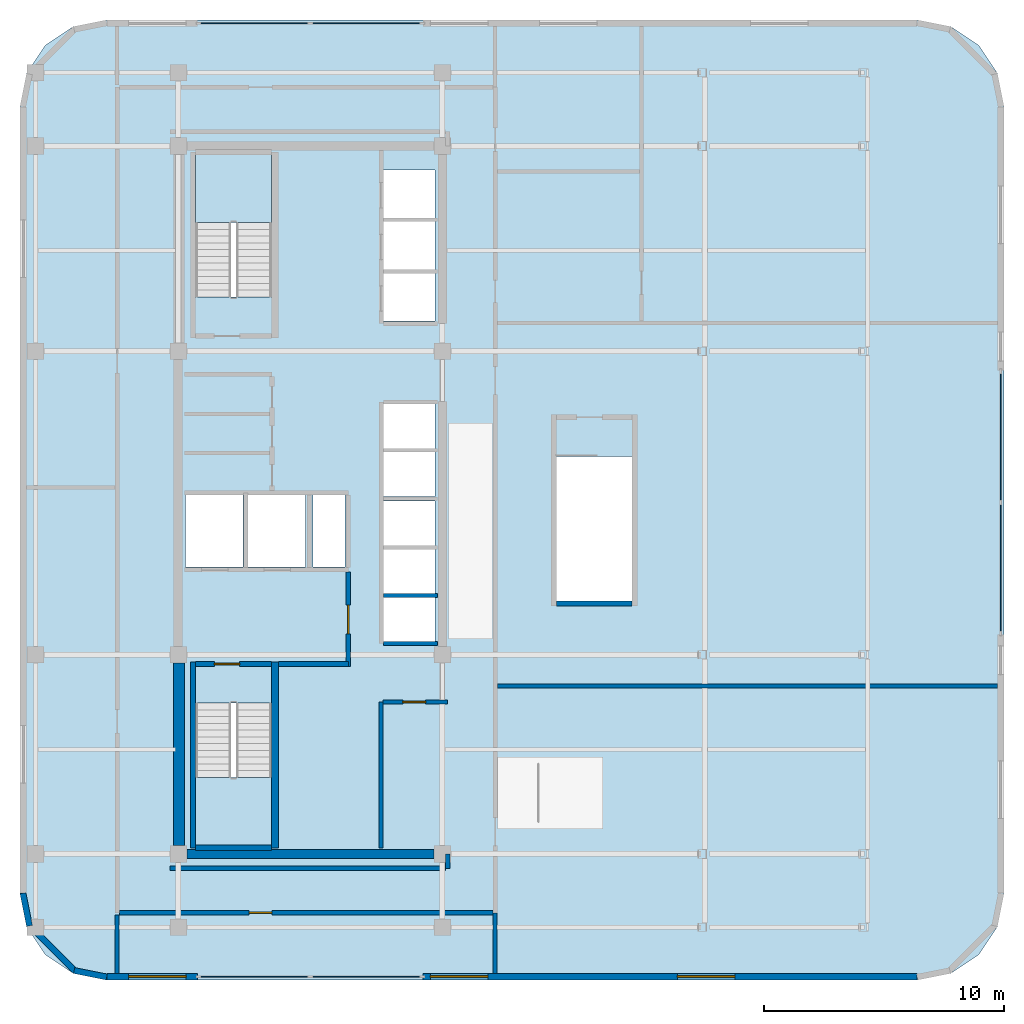
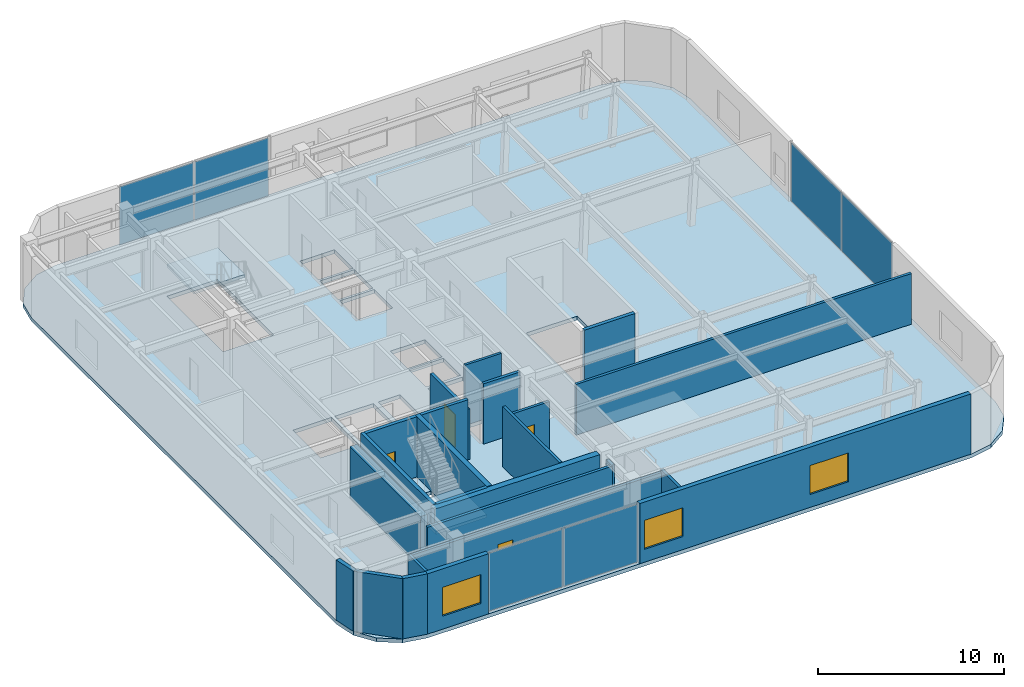
# One storey, part 6 of 10: 24 walls, 6 plates, 4 doors, 3 slabs, 3 windows, 7 openings, 5 elements without a shape of their own.
"""IFC4 building model written with IfcOpenShell, lengths in metres."""

from ifc_helpers import new_model, si_unit, direction, frame, frame_2d, origin, origin_2d, place, context, subcontext, project, spatial, polyline, rectangle, outline, extrude, material, layer, layer_set, type_object, element, fill, aggregate, save


model = new_model("IFC4")

# Units and contexts
model_context = context("Model", 3, precision=1e-05, world=origin(), true_north=direction((0.0, 1.0)))
body_context = subcontext(model_context, "Body", "Model", "MODEL_VIEW")
ifc_project = project(units=[si_unit("LENGTHUNIT", "METRE"), si_unit("AREAUNIT", "SQUARE_METRE"), si_unit("VOLUMEUNIT", "CUBIC_METRE"), si_unit("PLANEANGLEUNIT", "RADIAN"), si_unit("MASSUNIT", "GRAM", prefix="KILO")], contexts=[model_context])

# Site, building, storey
site_placement = place(None, origin())
site = spatial("IfcSite", under=ifc_project, at=site_placement, CompositionType="ELEMENT")
building_placement = place(site_placement, origin())
building = spatial("IfcBuilding", under=site, at=building_placement, Name="Ochreholt Gables", CompositionType="ELEMENT")
storey_placement = place(building_placement, frame((0.0, 0.0, 173.39990234375)))
storey = spatial("IfcBuildingStorey", under=building, at=storey_placement, Name="L45", CompositionType="ELEMENT", Elevation=173.39990234375)

# Curtain wall, plates
ifc_material_1 = material(Name="Unitised Aluminium and Triple Glazing", Category="aluminium")
ifc_layer_1 = layer(ifc_material_1, 0.219970703125, Name="Unitised Aluminium and Triple Glazing")
ifc_layer_set_1 = layer_set([ifc_layer_1], Name="Unitised Aluminium and Triple Glazing")
curtain_wall_type = type_object("IfcCurtainWallType", Name="CW-SYS6", PredefinedType="NOTDEFINED", material=ifc_layer_set_1)
curtain_wall_1_placement = place(storey_placement, origin())
curtain_wall_1 = element("IfcCurtainWall", 1, at=curtain_wall_1_placement, inside=storey, type_object=curtain_wall_type, Name="L45 South Unitised Curtain Wall", PredefinedType="NOTDEFINED")
ifc_material_2 = material(Name="Triple Low-E Insulating Glass", Category="glass")
ifc_layer_2 = layer(ifc_material_2, 0.0419921875, Name="Triple Low-E Insulating Glass")
ifc_layer_set_2 = layer_set([ifc_layer_2], Name="Triple Low-E Insulating Glass")
plate_type = type_object("IfcPlateType", Name="CW-PNL-42", PredefinedType="CURTAIN_PANEL", material=ifc_layer_set_2)
plate_1_placement = place(storey_placement, frame((27.36865234375, 4.139892578125, 0.074951171875), z_axis=(0.0, 0.0, 1.0), x_axis=(1.0, 0.0, 0.0)))
plate_1 = element("IfcPlate", 2, at=plate_1_placement, type_object=plate_type, Name="CW-6 panel 1.1", PredefinedType="CURTAIN_PANEL", context=body_context, shape_type="SweptSolid", body=[
    extrude(rectangle(XDim=4.58740234375, YDim=0.0419921875, at=origin_2d()), origin(), (0.0, 0.0, 1.0), 3.81005859375),
])
plate_2_placement = place(storey_placement, frame((32.03125, 4.139892578125, 0.074951171875), z_axis=(0.0, 0.0, 1.0), x_axis=(1.0, 0.0, 0.0)))
plate_2 = element("IfcPlate", 3, at=plate_2_placement, type_object=plate_type, Name="CW-6 panel 2.1", PredefinedType="CURTAIN_PANEL", context=body_context, shape_type="SweptSolid", body=[
    extrude(rectangle(XDim=4.58740234375, YDim=0.0419921875, at=origin_2d()), origin(), (0.0, 0.0, 1.0), 3.81005859375),
])
aggregate(curtain_wall_1, [plate_1, plate_2])

curtain_wall_2_placement = place(storey_placement, origin())
curtain_wall_2 = element("IfcCurtainWall", 4, at=curtain_wall_2_placement, inside=storey, type_object=curtain_wall_type, Name="L45 East Unitised Curtain Wall", PredefinedType="NOTDEFINED")
plate_3_placement = place(storey_placement, frame((58.4599609375, 21.168701171875, 0.074951171875), z_axis=(0.0, 0.0, 1.0), x_axis=(0.0, 1.0, 0.0)))
plate_3 = element("IfcPlate", 5, at=plate_3_placement, type_object=plate_type, Name="CW-6 panel 1.1", PredefinedType="CURTAIN_PANEL", context=body_context, shape_type="SweptSolid", body=[
    extrude(rectangle(XDim=5.387451171875, YDim=0.0419921875, at=origin_2d()), origin(), (0.0, 0.0, 1.0), 3.81005859375),
])
plate_4_placement = place(storey_placement, frame((58.4599609375, 26.63134765625, 0.074951171875), z_axis=(0.0, 0.0, 1.0), x_axis=(0.0, 1.0, 0.0)))
plate_4 = element("IfcPlate", 6, at=plate_4_placement, type_object=plate_type, Name="CW-6 panel 2.1", PredefinedType="CURTAIN_PANEL", context=body_context, shape_type="SweptSolid", body=[
    extrude(rectangle(XDim=5.387451171875, YDim=0.0419921875, at=origin_2d()), origin(), (0.0, 0.0, 1.0), 3.81005859375),
])
aggregate(curtain_wall_2, [plate_3, plate_4])

curtain_wall_3_placement = place(storey_placement, origin())
curtain_wall_3 = element("IfcCurtainWall", 7, at=curtain_wall_3_placement, inside=storey, type_object=curtain_wall_type, Name="L45 North Unitised Curtain Wall", PredefinedType="NOTDEFINED")
plate_5_placement = place(storey_placement, frame((32.03125, 43.860107421875, 0.074951171875), z_axis=(0.0, 0.0, 1.0), x_axis=(-1.0, 0.0, 0.0)))
plate_5 = element("IfcPlate", 8, at=plate_5_placement, type_object=plate_type, Name="CW-6 panel 1.1", PredefinedType="CURTAIN_PANEL", context=body_context, shape_type="SweptSolid", body=[
    extrude(rectangle(XDim=4.58740234375, YDim=0.0419921875, at=origin_2d()), origin(), (0.0, 0.0, 1.0), 3.81005859375),
])
plate_6_placement = place(storey_placement, frame((27.36865234375, 43.860107421875, 0.074951171875), z_axis=(0.0, 0.0, 1.0), x_axis=(-1.0, 0.0, 0.0)))
plate_6 = element("IfcPlate", 9, at=plate_6_placement, type_object=plate_type, Name="CW-6 panel 2.1", PredefinedType="CURTAIN_PANEL", context=body_context, shape_type="SweptSolid", body=[
    extrude(rectangle(XDim=4.58740234375, YDim=0.0419921875, at=origin_2d()), origin(), (0.0, 0.0, 1.0), 3.81005859375),
])
aggregate(curtain_wall_3, [plate_5, plate_6])

# Stair, slab
ifc_material_3 = material(Name="Concrete 40 MPa", Category="concrete")
stair_type_1 = type_object("IfcStairType", Name="STAIR-CORE-ST-1", PredefinedType="HALF_TURN_STAIR", material=ifc_material_3)
stair_1_placement = place(storey_placement, origin())
stair_1 = element("IfcStair", 10, at=stair_1_placement, inside=storey, type_object=stair_type_1, Name="L45 Core Exit Stair 1", PredefinedType="HALF_TURN_STAIR")
ifc_layer_3 = layer(ifc_material_3, 0.199951171875, Name="Concrete 40 MPa")
ifc_layer_set_3 = layer_set([ifc_layer_3], Name="Concrete 40 MPa")
slab_type_1 = type_object("IfcSlabType", Name="LANDING-RC200", PredefinedType="LANDING", material=ifc_layer_set_3)
slab_1_placement = place(storey_placement, frame((0.0, 0.0, 1.900146484375)))
slab_1 = element("IfcSlab", 11, at=slab_1_placement, type_object=slab_type_1, Name="ST-1 landing 1", PredefinedType="LANDING", context=body_context, shape_type="SweptSolid", body=[
    extrude(outline(polyline([(24.919921875, 12.43798828125), (24.919921875, 9.52001953125), (28.080078125, 9.52001953125), (28.080078125, 12.43798828125), (24.919921875, 12.43798828125)])), origin(), (0.0, 0.0, 1.0), 0.199951171875),
])
aggregate(stair_1, [slab_1])

stair_type_2 = type_object("IfcStairType", Name="STAIR-CORE-ST-2", PredefinedType="HALF_TURN_STAIR", material=ifc_material_3)
stair_2_placement = place(storey_placement, origin())
stair_2 = element("IfcStair", 12, at=stair_2_placement, inside=storey, type_object=stair_type_2, Name="L45 Core Exit Stair 2", PredefinedType="HALF_TURN_STAIR")
slab_2_placement = place(storey_placement, frame((0.0, 0.0, 1.900146484375)))
slab_2 = element("IfcSlab", 13, at=slab_2_placement, type_object=slab_type_1, Name="ST-2 landing 1", PredefinedType="LANDING", context=body_context, shape_type="SweptSolid", body=[
    extrude(outline(polyline([(28.080078125, 35.56201171875), (28.080078125, 38.47998046875), (24.919921875, 38.47998046875), (24.919921875, 35.56201171875), (28.080078125, 35.56201171875)])), origin(), (0.0, 0.0, 1.0), 0.199951171875),
])
aggregate(stair_2, [slab_2])

# Slab
ifc_layer_4 = layer(ifc_material_3, 0.25, Name="Concrete 40 MPa")
ifc_layer_set_4 = layer_set([ifc_layer_4], Name="Concrete 40 MPa")
slab_type_2 = type_object("IfcSlabType", Name="SLAB-COM-250", PredefinedType="FLOOR", material=ifc_layer_set_4)
slab_3_placement = place(storey_placement, frame((0.0, 0.0, -0.25)))
element("IfcSlab", 14, at=slab_3_placement, inside=storey, type_object=slab_type_2, Name="L45 Structural Floor Slab", PredefinedType="FLOOR", context=body_context, shape_type="SweptSolid", body=[
    extrude(outline(polyline([(17.60009765625, 7.60009765625), (17.8740234375, 6.222412109375), (18.654296875, 5.054443359375), (19.822265625, 4.27392578125), (21.199951171875, 4.0), (55.0, 4.0), (56.377685546875, 4.27392578125), (57.545654296875, 5.054443359375), (58.325927734375, 6.222412109375), (58.60009765625, 7.60009765625), (58.60009765625, 40.39990234375), (58.325927734375, 41.777587890625), (57.545654296875, 42.945556640625), (56.377685546875, 43.72607421875), (55.0, 44.0), (21.199951171875, 44.0), (19.822265625, 43.72607421875), (18.654296875, 42.945556640625), (17.8740234375, 41.777587890625), (17.60009765625, 40.39990234375), (17.60009765625, 7.60009765625)]), holes=[polyline([(24.919921875, 15.539306640625), (24.919921875, 9.52001953125), (28.080078125, 9.52001953125), (28.080078125, 15.539306640625), (24.919921875, 15.539306640625)]), polyline([(28.080078125, 32.460693359375), (28.080078125, 38.47998046875), (24.919921875, 38.47998046875), (24.919921875, 32.460693359375), (28.080078125, 32.460693359375)]), polyline([(39.949951171875, 25.819091796875), (39.949951171875, 19.800048828125), (43.110107421875, 19.800048828125), (43.110107421875, 25.819091796875), (39.949951171875, 25.819091796875)]), polyline([(24.5, 21.199951171875), (26.89990234375, 21.199951171875), (26.89990234375, 24.199951171875), (24.5, 24.199951171875), (24.5, 21.199951171875)]), polyline([(27.10009765625, 21.199951171875), (29.5, 21.199951171875), (29.5, 24.199951171875), (27.10009765625, 24.199951171875), (27.10009765625, 21.199951171875)]), polyline([(32.75, 18.10009765625), (34.89990234375, 18.10009765625), (34.89990234375, 19.949951171875), (32.75, 19.949951171875), (32.75, 18.10009765625)]), polyline([(32.75, 20.10009765625), (34.89990234375, 20.10009765625), (34.89990234375, 21.949951171875), (32.75, 21.949951171875), (32.75, 20.10009765625)]), polyline([(32.75, 22.10009765625), (34.89990234375, 22.10009765625), (34.89990234375, 23.949951171875), (32.75, 23.949951171875), (32.75, 22.10009765625)]), polyline([(32.75, 24.14990234375), (34.89990234375, 24.14990234375), (34.89990234375, 26.0), (32.75, 26.0), (32.75, 24.14990234375)]), polyline([(32.75, 26.14990234375), (34.89990234375, 26.14990234375), (34.89990234375, 28.0), (32.75, 28.0), (32.75, 26.14990234375)]), polyline([(32.75, 31.449951171875), (34.89990234375, 31.449951171875), (34.89990234375, 33.449951171875), (32.75, 33.449951171875), (32.75, 31.449951171875)]), polyline([(32.75, 33.60009765625), (34.89990234375, 33.60009765625), (34.89990234375, 35.60009765625), (32.75, 35.60009765625), (32.75, 33.60009765625)]), polyline([(32.75, 35.75), (34.89990234375, 35.75), (34.89990234375, 37.75), (32.75, 37.75), (32.75, 35.75)]), polyline([(29.800048828125, 21.199951171875), (31.14990234375, 21.199951171875), (31.14990234375, 24.199951171875), (29.800048828125, 24.199951171875), (29.800048828125, 21.199951171875)])]), origin(), (0.0, 0.0, 1.0), 0.25),
])

# Walls
ifc_material_4 = material(Name="Concrete 50 MPa", Category="concrete")
ifc_layer_5 = layer(ifc_material_4, 0.3798828125, Name="Concrete 50 MPa")
ifc_layer_set_5 = layer_set([ifc_layer_5], Name="Concrete 50 MPa")
wall_type_1 = type_object("IfcWallType", Name="WALL-CSW-380", PredefinedType="SHEAR", material=ifc_layer_set_5)
wall_1_placement = place(storey_placement, frame((24.550048828125, 9.25, 0.0), z_axis=(0.0, 0.0, 1.0), x_axis=(1.0, 0.0, 0.0)))
element("IfcWall", 15, at=wall_1_placement, inside=storey, type_object=wall_type_1, Name="L45 Core South Shear Wall", PredefinedType="SHEAR", context=body_context, shape_type="SweptSolid", body=[
    extrude(rectangle(XDim=10.300048828125, YDim=0.3798828125, at=frame_2d((5.14990234375, 0.0))), origin(), (0.0, 0.0, 1.0), 3.960205078125),
])
ifc_material_5 = material(Name="Concrete 60 MPa", Category="concrete")
ifc_layer_6 = layer(ifc_material_5, 0.449951171875, Name="Concrete 60 MPa")
ifc_layer_set_6 = layer_set([ifc_layer_6], Name="Concrete 60 MPa")
wall_type_2 = type_object("IfcWallType", Name="WALL-CSW-450", PredefinedType="SHEAR", material=ifc_layer_set_6)
wall_2_placement = place(storey_placement, frame((24.22509765625, 9.60009765625, 0.0), z_axis=(0.0, 0.0, 1.0), x_axis=(0.0, 1.0, 0.0)))
element("IfcWall", 16, at=wall_2_placement, inside=storey, type_object=wall_type_2, Name="L45 Core West Shear Wall WS", PredefinedType="SHEAR", context=body_context, shape_type="SweptSolid", body=[
    extrude(rectangle(XDim=7.599853515625, YDim=0.449951171875, at=frame_2d((3.7998046875, 0.0))), origin(), (0.0, 0.0, 1.0), 3.34814453125),
])

# Wall, opening, window
ifc_material_6 = material(Name="Precast concrete 40 MPa", Category="concrete")
ifc_layer_7 = layer(ifc_material_6, 0.280029296875, Name="Precast concrete 40 MPa")
ifc_layer_set_7 = layer_set([ifc_layer_7], Name="Precast concrete 40 MPa")
wall_type_3 = type_object("IfcWallType", Name="WALL-EXT-280", PredefinedType="SOLIDWALL", material=ifc_layer_set_7)
wall_3_placement = place(storey_placement, frame((21.219970703125, 4.139892578125, 0.0), z_axis=(0.0, 0.0, 1.0), x_axis=(1.0, 0.0, 0.0)))
wall_3 = element("IfcWall", 17, at=wall_3_placement, inside=storey, type_object=wall_type_3, Name="L45 South Facade Wall 1", PredefinedType="SOLIDWALL", context=body_context, shape_type="SweptSolid", body=[
    extrude(rectangle(XDim=3.780029296875, YDim=0.280029296875, at=frame_2d((1.89013671875, 0.0))), origin(), (0.0, 0.0, 1.0), 3.960205078125),
])
opening_1_placement = place(wall_3_placement, frame((0.905029296875, 0.0, 0.85009765625)))
opening_1 = element("IfcOpeningElement", 18, at=opening_1_placement, cuts=wall_3, Name="Opening WN-5", PredefinedType="OPENING", context=body_context, shape_type="SweptSolid", body=[
    extrude(rectangle(XDim=2.39990234375, YDim=1.89990234375, at=frame_2d((1.199951171875, 0.949951171875))), frame((0.0, 0.14990234375, 0.0), z_axis=(0.0, -1.0, 0.0), x_axis=(1.0, 0.0, 0.0)), (0.0, 0.0, 1.0), 0.300048828125),
])
ifc_material_7 = material(Name="Triple-Glazed Thermally Broken Aluminium Window", Category="aluminium")
window_type = type_object("IfcWindowType", Name="WIN-COM-2400", PartitioningType="SINGLE_PANEL", PredefinedType="WINDOW", material=ifc_material_7)
window_1_placement = place(opening_1_placement, origin())
window_1 = element("IfcWindow", 19, at=window_1_placement, inside=storey, type_object=window_type, Name="L45 Window W-EXT-S1-L45-1", OverallHeight=1.89990234375, OverallWidth=2.39990234375, PartitioningType="SINGLE_PANEL", PredefinedType="WINDOW", context=body_context, shape_type="SweptSolid", body=[
    extrude(rectangle(XDim=2.39990234375, YDim=1.89990234375, at=frame_2d((1.199951171875, 0.949951171875))), frame((0.0, 0.030029296875, 0.0), z_axis=(0.0, -1.0, 0.0), x_axis=(1.0, 0.0, 0.0)), (0.0, 0.0, 1.0), 0.06005859375),
])
fill(opening_1, window_1)

# Wall, openings, windows
wall_4_placement = place(storey_placement, frame((34.39990234375, 4.139892578125, 0.0), z_axis=(0.0, 0.0, 1.0), x_axis=(1.0, 0.0, 0.0)))
wall_4 = element("IfcWall", 20, at=wall_4_placement, inside=storey, type_object=wall_type_3, Name="L45 South Facade Wall 2", PredefinedType="SOLIDWALL", context=body_context, shape_type="SweptSolid", body=[
    extrude(rectangle(XDim=20.580078125, YDim=0.280029296875, at=frame_2d((10.2900390625, 0.0))), origin(), (0.0, 0.0, 1.0), 3.960205078125),
])
opening_2_placement = place(wall_4_placement, frame((0.300048828125, 0.0, 0.85009765625)))
opening_2 = element("IfcOpeningElement", 21, at=opening_2_placement, cuts=wall_4, Name="Opening WN-5", PredefinedType="OPENING", context=body_context, shape_type="SweptSolid", body=[
    extrude(rectangle(XDim=2.39990234375, YDim=1.89990234375, at=frame_2d((1.199951171875, 0.949951171875))), frame((0.0, 0.14990234375, 0.0), z_axis=(0.0, -1.0, 0.0), x_axis=(1.0, 0.0, 0.0)), (0.0, 0.0, 1.0), 0.300048828125),
])
opening_3_placement = place(wall_4_placement, frame((10.590087890625, 0.0, 0.85009765625)))
opening_3 = element("IfcOpeningElement", 22, at=opening_3_placement, cuts=wall_4, Name="Opening WN-5", PredefinedType="OPENING", context=body_context, shape_type="SweptSolid", body=[
    extrude(rectangle(XDim=2.39990234375, YDim=1.89990234375, at=frame_2d((1.199951171875, 0.949951171875))), frame((0.0, 0.14990234375, 0.0), z_axis=(0.0, -1.0, 0.0), x_axis=(1.0, 0.0, 0.0)), (0.0, 0.0, 1.0), 0.300048828125),
])
window_2_placement = place(opening_2_placement, origin())
window_2 = element("IfcWindow", 23, at=window_2_placement, inside=storey, type_object=window_type, Name="L45 Window W-EXT-S2-L45-1", OverallHeight=1.89990234375, OverallWidth=2.39990234375, PartitioningType="SINGLE_PANEL", PredefinedType="WINDOW", context=body_context, shape_type="SweptSolid", body=[
    extrude(rectangle(XDim=2.39990234375, YDim=1.89990234375, at=frame_2d((1.199951171875, 0.949951171875))), frame((0.0, 0.030029296875, 0.0), z_axis=(0.0, -1.0, 0.0), x_axis=(1.0, 0.0, 0.0)), (0.0, 0.0, 1.0), 0.06005859375),
])
fill(opening_2, window_2)
window_3_placement = place(opening_3_placement, origin())
window_3 = element("IfcWindow", 24, at=window_3_placement, inside=storey, type_object=window_type, Name="L45 Window W-EXT-S2-L45-2", OverallHeight=1.89990234375, OverallWidth=2.39990234375, PartitioningType="SINGLE_PANEL", PredefinedType="WINDOW", context=body_context, shape_type="SweptSolid", body=[
    extrude(rectangle(XDim=2.39990234375, YDim=1.89990234375, at=frame_2d((1.199951171875, 0.949951171875))), frame((0.0, 0.030029296875, 0.0), z_axis=(0.0, -1.0, 0.0), x_axis=(1.0, 0.0, 0.0)), (0.0, 0.0, 1.0), 0.06005859375),
])
fill(opening_3, window_3)

# Walls
ifc_layer_8 = layer(ifc_material_6, 0.25, Name="Precast concrete 40 MPa")
ifc_layer_set_8 = layer_set([ifc_layer_8], Name="Precast concrete 40 MPa")
wall_type_4 = type_object("IfcWallType", Name="WALL-EXT-CNR", PredefinedType="SOLIDWALL", material=ifc_layer_set_8)
wall_5_placement = place(storey_placement, frame((17.72412109375, 7.616455078125, 0.0), z_axis=(0.0, 0.0, 1.0), x_axis=(0.195135625965, -0.9807762678, 0.0)))
element("IfcWall", 25, at=wall_5_placement, inside=storey, type_object=wall_type_4, Name="L45 Rounded Corner Wall SW-1", PredefinedType="SOLIDWALL", context=body_context, shape_type="SweptSolid", body=[
    extrude(rectangle(XDim=1.388671875, YDim=0.25, at=frame_2d((0.6943359375, 0.0))), origin(), (0.0, 0.0, 1.0), 3.960205078125),
])
wall_6_placement = place(storey_placement, frame((17.968017578125, 6.304931640625, 0.0), z_axis=(0.0, 0.0, 1.0), x_axis=(0.707106781187, -0.707106781187, 0.0)))
element("IfcWall", 26, at=wall_6_placement, inside=storey, type_object=wall_type_4, Name="L45 Rounded Corner Wall SW-2", PredefinedType="SOLIDWALL", context=body_context, shape_type="SweptSolid", body=[
    extrude(rectangle(XDim=2.7392578125, YDim=0.25, at=frame_2d((1.36962890625, 0.0))), origin(), (0.0, 0.0, 1.0), 3.960205078125),
])
wall_7_placement = place(storey_placement, frame((19.8544921875, 4.39501953125, 0.0), z_axis=(0.0, 0.0, 1.0), x_axis=(0.980809899341, -0.19496651342, 0.0)))
element("IfcWall", 27, at=wall_7_placement, inside=storey, type_object=wall_type_4, Name="L45 Rounded Corner Wall SW-3", PredefinedType="SOLIDWALL", context=body_context, shape_type="SweptSolid", body=[
    extrude(rectangle(XDim=1.388671875, YDim=0.25, at=frame_2d((0.6943359375, 0.0))), origin(), (0.0, 0.0, 1.0), 3.960205078125),
])
ifc_layer_9 = layer(ifc_material_3, 0.199951171875, Name="Concrete 40 MPa")
ifc_layer_set_9 = layer_set([ifc_layer_9], Name="Concrete 40 MPa")
wall_type_5 = type_object("IfcWallType", Name="WALL-INT-CF200", PredefinedType="STANDARD", material=ifc_layer_set_9)
wall_8_placement = place(storey_placement, frame((28.3798828125, 17.169921875, 0.0), z_axis=(0.0, 0.0, 1.0), x_axis=(1.0, 0.0, 0.0)))
element("IfcWall", 28, at=wall_8_placement, inside=storey, type_object=wall_type_5, Name="L45 Interior Wall WI-FFS-L45", PredefinedType="STANDARD", context=body_context, shape_type="SweptSolid", body=[
    extrude(rectangle(XDim=2.900146484375, YDim=0.199951171875, at=frame_2d((1.4501953125, 0.0))), origin(), (0.0, 0.0, 1.0), 3.960205078125),
])

# Wall, opening, door
wall_9_placement = place(storey_placement, frame((31.280029296875, 17.070068359375, 0.0), z_axis=(0.0, 0.0, 1.0), x_axis=(0.0, 1.0, 0.0)))
wall_9 = element("IfcWall", 29, at=wall_9_placement, inside=storey, type_object=wall_type_5, Name="L45 Interior Wall WI-FFE-L45", PredefinedType="STANDARD", context=body_context, shape_type="SweptSolid", body=[
    extrude(rectangle(XDim=3.919921875, YDim=0.199951171875, at=frame_2d((1.9599609375, 0.0))), origin(), (0.0, 0.0, 1.0), 3.330078125),
])
opening_4_placement = place(wall_9_placement, frame((1.35009765625, 0.0, 0.0)))
opening_4 = element("IfcOpeningElement", 30, at=opening_4_placement, cuts=wall_9, Name="Opening D-FFL", PredefinedType="OPENING", context=body_context, shape_type="SweptSolid", body=[
    extrude(rectangle(XDim=1.199951171875, YDim=2.14990234375, at=frame_2d((0.60009765625, 1.074951171875))), frame((0.0, 0.10986328125, 0.0), z_axis=(0.0, -1.0, 0.0), x_axis=(1.0, 0.0, 0.0)), (0.0, 0.0, 1.0), 0.219970703125),
])
ifc_material_8 = material(Name="Hollow Metal Steel", Category="steel")
door_type_1 = type_object("IfcDoorType", Name="DR-INT-FFL1200", OperationType="NOTDEFINED", PredefinedType="DOOR", material=ifc_material_8)
door_1_placement = place(opening_4_placement, origin())
door_1 = element("IfcDoor", 31, at=door_1_placement, inside=storey, type_object=door_type_1, Name="L45 Door D-FFL-L45", OperationType="SINGLE_SWING_LEFT", OverallHeight=2.14990234375, OverallWidth=1.199951171875, PredefinedType="DOOR", context=body_context, shape_type="SweptSolid", body=[
    extrude(rectangle(XDim=1.199951171875, YDim=2.14990234375, at=frame_2d((0.60009765625, 1.074951171875))), frame((0.0, 0.02490234375, 0.0), z_axis=(0.0, -1.0, 0.0), x_axis=(1.0, 0.0, 0.0)), (0.0, 0.0, 1.0), 0.050048828125),
])
fill(opening_4, door_1)

# Wall
ifc_material_9 = material(Name="Fire-Rated Gypsum Acoustic Partition", Category="gypsum")
ifc_layer_10 = layer(ifc_material_9, 0.179931640625, Name="Fire-Rated Gypsum Acoustic Partition")
ifc_layer_set_10 = layer_set([ifc_layer_10], Name="Fire-Rated Gypsum Acoustic Partition")
wall_type_6 = type_object("IfcWallType", Name="WALL-INT-CR180", PredefinedType="STANDARD", material=ifc_layer_set_10)
wall_10_placement = place(storey_placement, frame((35.419921875, 8.64990234375, 0.0), z_axis=(0.0, 0.0, 1.0), x_axis=(0.0, 1.0, 0.0)))
element("IfcWall", 32, at=wall_10_placement, inside=storey, type_object=wall_type_6, Name="L45 Interior Wall WI-CMCSW1-L45", PredefinedType="STANDARD", context=body_context, shape_type="SweptSolid", body=[
    extrude(rectangle(XDim=0.60009765625, YDim=0.179931640625, at=frame_2d((0.300048828125, 0.0))), origin(), (0.0, 0.0, 1.0), 3.330078125),
])

# Wall, opening, door
wall_11_placement = place(storey_placement, frame((21.739990234375, 6.800048828125, 0.0), z_axis=(0.0, 0.0, 1.0), x_axis=(1.0, 0.0, 0.0)))
wall_11 = element("IfcWall", 33, at=wall_11_placement, inside=storey, type_object=wall_type_6, Name="L45 Interior Wall WI-CMCS-L45", PredefinedType="STANDARD", context=body_context, shape_type="SweptSolid", body=[
    extrude(rectangle(XDim=15.570068359375, YDim=0.179931640625, at=frame_2d((7.78515625, 0.0))), origin(), (0.0, 0.0, 1.0), 3.330078125),
])
opening_5_placement = place(wall_11_placement, frame((5.409912109375, 0.0, 0.0)))
opening_5 = element("IfcOpeningElement", 34, at=opening_5_placement, cuts=wall_11, Name="Opening D-GN1", PredefinedType="OPENING", context=body_context, shape_type="SweptSolid", body=[
    extrude(rectangle(XDim=0.949951171875, YDim=2.14990234375, at=frame_2d((0.47509765625, 1.074951171875))), frame((0.0, 0.099853515625, 0.0), z_axis=(0.0, -1.0, 0.0), x_axis=(1.0, 0.0, 0.0)), (0.0, 0.0, 1.0), 0.199951171875),
])
ifc_material_10 = material(Name="Engineered Oak Timber", Category="wood")
door_type_2 = type_object("IfcDoorType", Name="DR-INT-GEN950", OperationType="NOTDEFINED", PredefinedType="DOOR", material=ifc_material_10)
door_2_placement = place(opening_5_placement, origin())
door_2 = element("IfcDoor", 35, at=door_2_placement, inside=storey, type_object=door_type_2, Name="L45 Door D-CMCS-L45", OperationType="SINGLE_SWING_LEFT", OverallHeight=2.14990234375, OverallWidth=0.949951171875, PredefinedType="DOOR", context=body_context, shape_type="SweptSolid", body=[
    extrude(rectangle(XDim=0.949951171875, YDim=2.14990234375, at=frame_2d((0.47509765625, 1.074951171875))), frame((0.0, 0.02490234375, 0.0), z_axis=(0.0, -1.0, 0.0), x_axis=(1.0, 0.0, 0.0)), (0.0, 0.0, 1.0), 0.050048828125),
])
fill(opening_5, door_2)

# Walls
wall_12_placement = place(storey_placement, frame((23.85009765625, 8.64990234375, 0.0), z_axis=(0.0, 0.0, 1.0), x_axis=(1.0, 0.0, 0.0)))
element("IfcWall", 36, at=wall_12_placement, inside=storey, type_object=wall_type_6, Name="L45 Interior Wall WI-CMCS2-L45", PredefinedType="STANDARD", context=body_context, shape_type="SweptSolid", body=[
    extrude(rectangle(XDim=11.47998046875, YDim=0.179931640625, at=frame_2d((5.739990234375, 0.0))), origin(), (0.0, 0.0, 1.0), 3.330078125),
])
ifc_material_11 = material(Name="Gypsum Acoustic Stud Partition", Category="gypsum")
ifc_layer_11 = layer(ifc_material_11, 0.1650390625, Name="Gypsum Acoustic Stud Partition")
ifc_layer_set_11 = layer_set([ifc_layer_11], Name="Gypsum Acoustic Stud Partition")
wall_type_7 = type_object("IfcWallType", Name="WALL-INT-PT165", PredefinedType="PARTITIONING", material=ifc_layer_set_11)
wall_13_placement = place(storey_placement, frame((37.39990234375, 4.280029296875, 0.0), z_axis=(0.0, 0.0, 1.0), x_axis=(0.0, 1.0, 0.0)))
element("IfcWall", 37, at=wall_13_placement, inside=storey, type_object=wall_type_7, Name="L45 Interior Wall WI-CMCES-L45", PredefinedType="PARTITIONING", context=body_context, shape_type="SweptSolid", body=[
    extrude(rectangle(XDim=2.52001953125, YDim=0.1650390625, at=frame_2d((1.260009765625, 0.0))), origin(), (0.0, 0.0, 1.0), 3.47900390625),
])
wall_14_placement = place(storey_placement, frame((37.489990234375, 16.25, 0.0), z_axis=(0.0, 0.0, 1.0), x_axis=(1.0, 0.0, 0.0)))
element("IfcWall", 38, at=wall_14_placement, inside=storey, type_object=wall_type_7, Name="L45 Interior Wall WI-CME1-L45", PredefinedType="PARTITIONING", context=body_context, shape_type="SweptSolid", body=[
    extrude(rectangle(XDim=20.830078125, YDim=0.1650390625, at=frame_2d((10.4150390625, 0.0))), origin(), (0.0, 0.0, 1.0), 3.330078125),
])
wall_15_placement = place(storey_placement, frame((32.64990234375, 9.5, 0.0), z_axis=(0.0, 0.0, 1.0), x_axis=(0.0, 1.0, 0.0)))
element("IfcWall", 39, at=wall_15_placement, inside=storey, type_object=wall_type_7, Name="L45 Interior Wall WI-CMRCLW-L45", PredefinedType="PARTITIONING", context=body_context, shape_type="SweptSolid", body=[
    extrude(rectangle(XDim=6.080078125, YDim=0.1650390625, at=frame_2d((3.0400390625, 0.0))), origin(), (0.0, 0.0, 1.0), 3.960205078125),
])

# Wall, opening, door
wall_16_placement = place(storey_placement, frame((32.732421875, 15.580078125, 0.0), z_axis=(0.0, 0.0, 1.0), x_axis=(1.0, 0.0, 0.0)))
wall_16 = element("IfcWall", 40, at=wall_16_placement, inside=storey, type_object=wall_type_7, Name="L45 Interior Wall WI-CMRCLN-L45", PredefinedType="PARTITIONING", context=body_context, shape_type="SweptSolid", body=[
    extrude(rectangle(XDim=2.6875, YDim=0.1650390625, at=frame_2d((1.34375, 0.0))), origin(), (0.0, 0.0, 1.0), 3.330078125),
])
opening_6_placement = place(wall_16_placement, frame((0.8173828125, 0.0, 0.0)))
opening_6 = element("IfcOpeningElement", 41, at=opening_6_placement, cuts=wall_16, Name="Opening D-GN1", PredefinedType="OPENING", context=body_context, shape_type="SweptSolid", body=[
    extrude(rectangle(XDim=0.949951171875, YDim=2.14990234375, at=frame_2d((0.47509765625, 1.074951171875))), frame((0.0, 0.092529296875, 0.0), z_axis=(0.0, -1.0, 0.0), x_axis=(1.0, 0.0, 0.0)), (0.0, 0.0, 1.0), 0.18505859375),
])
door_3_placement = place(opening_6_placement, origin())
door_3 = element("IfcDoor", 42, at=door_3_placement, inside=storey, type_object=door_type_2, Name="L45 Door D-CMRCL-L45", OperationType="SINGLE_SWING_LEFT", OverallHeight=2.14990234375, OverallWidth=0.949951171875, PredefinedType="DOOR", context=body_context, shape_type="SweptSolid", body=[
    extrude(rectangle(XDim=0.949951171875, YDim=2.14990234375, at=frame_2d((0.47509765625, 1.074951171875))), frame((0.0, 0.02490234375, 0.0), z_axis=(0.0, -1.0, 0.0), x_axis=(1.0, 0.0, 0.0)), (0.0, 0.0, 1.0), 0.050048828125),
])
fill(opening_6, door_3)

# Walls
wall_17_placement = place(storey_placement, frame((21.64990234375, 4.280029296875, 0.0), z_axis=(0.0, 0.0, 1.0), x_axis=(0.0, 1.0, 0.0)))
element("IfcWall", 43, at=wall_17_placement, inside=storey, type_object=wall_type_7, Name="L45 Interior Wall WI-CMCWS-L45", PredefinedType="PARTITIONING", context=body_context, shape_type="SweptSolid", body=[
    extrude(rectangle(XDim=2.429931640625, YDim=0.1650390625, at=frame_2d((1.21484375, 0.0))), origin(), (0.0, 0.0, 1.0), 3.47900390625),
])
ifc_material_12 = material(Name="Gypsum Shaftliner and Steel Stud", Category="steel")
ifc_layer_12 = layer(ifc_material_12, 0.14990234375, Name="Gypsum Shaftliner and Steel Stud")
ifc_layer_set_12 = layer_set([ifc_layer_12], Name="Gypsum Shaftliner and Steel Stud")
wall_type_8 = type_object("IfcWallType", Name="WALL-INT-SH150", PredefinedType="STANDARD", material=ifc_layer_set_12)
wall_18_placement = place(storey_placement, frame((32.739990234375, 20.02001953125, 0.0), z_axis=(0.0, 0.0, 1.0), x_axis=(1.0, 0.0, 0.0)))
element("IfcWall", 44, at=wall_18_placement, inside=storey, type_object=wall_type_8, Name="L45 Interior Wall WI-LFHE-DH1-L45", PredefinedType="STANDARD", context=body_context, shape_type="SweptSolid", body=[
    extrude(rectangle(XDim=2.260009765625, YDim=0.14990234375, at=frame_2d((1.1298828125, 0.0))), origin(), (0.0, 0.0, 1.0), 3.960205078125),
])
ifc_layer_13 = layer(ifc_material_12, 0.179931640625, Name="Gypsum Shaftliner and Steel Stud")
ifc_layer_set_13 = layer_set([ifc_layer_13], Name="Gypsum Shaftliner and Steel Stud")
wall_type_9 = type_object("IfcWallType", Name="WALL-INT-SH180", PredefinedType="STANDARD", material=ifc_layer_set_13)
wall_19_placement = place(storey_placement, frame((32.739990234375, 18.02001953125, 0.0), z_axis=(0.0, 0.0, 1.0), x_axis=(1.0, 0.0, 0.0)))
element("IfcWall", 45, at=wall_19_placement, inside=storey, type_object=wall_type_9, Name="L45 Interior Wall WI-LFHE-S-L45", PredefinedType="STANDARD", context=body_context, shape_type="SweptSolid", body=[
    extrude(rectangle(XDim=2.260009765625, YDim=0.179931640625, at=frame_2d((1.1298828125, 0.0))), origin(), (0.0, 0.0, 1.0), 3.960205078125),
])
ifc_layer_14 = layer(ifc_material_5, 0.300048828125, Name="Concrete 60 MPa")
ifc_layer_set_14 = layer_set([ifc_layer_14], Name="Concrete 60 MPa")
wall_type_10 = type_object("IfcWallType", Name="WALL-SPN-300", PredefinedType="SHEAR", material=ifc_layer_set_14)
wall_20_placement = place(storey_placement, frame((28.22998046875, 9.5, 0.0), z_axis=(0.0, 0.0, 1.0), x_axis=(0.0, 1.0, 0.0)))
element("IfcWall", 46, at=wall_20_placement, inside=storey, type_object=wall_type_10, Name="L45 Core South Spine Shear Wall", PredefinedType="SHEAR", context=body_context, shape_type="SweptSolid", body=[
    extrude(rectangle(XDim=7.760009765625, YDim=0.300048828125, at=frame_2d((3.8798828125, 0.0))), origin(), (0.0, 0.0, 1.0), 3.960205078125),
])
ifc_layer_15 = layer(ifc_material_4, 0.219970703125, Name="Concrete 50 MPa")
ifc_layer_set_15 = layer_set([ifc_layer_15], Name="Concrete 50 MPa")
wall_type_11 = type_object("IfcWallType", Name="WALL-STW-220", PredefinedType="SHEAR", material=ifc_layer_set_15)
wall_21_placement = place(storey_placement, frame((24.81005859375, 9.5, 0.0), z_axis=(0.0, 0.0, 1.0), x_axis=(0.0, 1.0, 0.0)))
element("IfcWall", 47, at=wall_21_placement, inside=storey, type_object=wall_type_11, Name="L45 Exit Stair 1 West Wall", PredefinedType="SHEAR", context=body_context, shape_type="SweptSolid", body=[
    extrude(rectangle(XDim=7.760009765625, YDim=0.219970703125, at=frame_2d((3.8798828125, 0.0))), origin(), (0.0, 0.0, 1.0), 3.960205078125),
])
wall_22_placement = place(storey_placement, frame((24.919921875, 9.510009765625, 0.0), z_axis=(0.0, 0.0, 1.0), x_axis=(1.0, 0.0, 0.0)))
element("IfcWall", 48, at=wall_22_placement, inside=storey, type_object=wall_type_11, Name="L45 Exit Stair 1 South Wall", PredefinedType="SHEAR", context=body_context, shape_type="SweptSolid", body=[
    extrude(rectangle(XDim=3.16015625, YDim=0.219970703125, at=frame_2d((1.580078125, 0.0))), origin(), (0.0, 0.0, 1.0), 3.960205078125),
])

# Wall, opening, door
wall_23_placement = place(storey_placement, frame((24.919921875, 17.169921875, 0.0), z_axis=(0.0, 0.0, 1.0), x_axis=(1.0, 0.0, 0.0)))
wall_23 = element("IfcWall", 49, at=wall_23_placement, inside=storey, type_object=wall_type_11, Name="L45 Exit Stair 1 North Wall", PredefinedType="SHEAR", context=body_context, shape_type="SweptSolid", body=[
    extrude(rectangle(XDim=3.16015625, YDim=0.219970703125, at=frame_2d((1.580078125, 0.0))), origin(), (0.0, 0.0, 1.0), 3.960205078125),
])
opening_7_placement = place(wall_23_placement, frame((0.780029296875, 0.0, 0.0)))
opening_7 = element("IfcOpeningElement", 50, at=opening_7_placement, cuts=wall_23, Name="Opening D-STC", PredefinedType="OPENING", context=body_context, shape_type="SweptSolid", body=[
    extrude(rectangle(XDim=1.050048828125, YDim=2.14990234375, at=frame_2d((0.52490234375, 1.074951171875))), frame((0.0, 0.119873046875, 0.0), z_axis=(0.0, -1.0, 0.0), x_axis=(1.0, 0.0, 0.0)), (0.0, 0.0, 1.0), 0.239990234375),
])
door_type_3 = type_object("IfcDoorType", Name="DR-INT-ST1050", OperationType="NOTDEFINED", PredefinedType="DOOR", material=ifc_material_8)
door_4_placement = place(opening_7_placement, frame((1.050048828125, 0.0, 0.0), z_axis=(0.0, 0.0, 1.0), x_axis=(-1.0, 0.0, 0.0)))
door_4 = element("IfcDoor", 51, at=door_4_placement, inside=storey, type_object=door_type_3, Name="L45 Door D-ST1-L45", OperationType="SINGLE_SWING_LEFT", OverallHeight=2.14990234375, OverallWidth=1.050048828125, PredefinedType="DOOR", context=body_context, shape_type="SweptSolid", body=[
    extrude(rectangle(XDim=1.050048828125, YDim=2.14990234375, at=frame_2d((0.52490234375, 1.074951171875))), frame((0.0, 0.02490234375, 0.0), z_axis=(0.0, -1.0, 0.0), x_axis=(1.0, 0.0, 0.0)), (0.0, 0.0, 1.0), 0.050048828125),
])
fill(opening_7, door_4)

# Wall
wall_24_placement = place(storey_placement, frame((39.949951171875, 19.68994140625, 0.0), z_axis=(0.0, 0.0, 1.0), x_axis=(1.0, 0.0, 0.0)))
element("IfcWall", 52, at=wall_24_placement, inside=storey, type_object=wall_type_11, Name="L45 Feature Stair ST-C4 South Wall", PredefinedType="SHEAR", context=body_context, shape_type="SweptSolid", body=[
    extrude(rectangle(XDim=3.16015625, YDim=0.219970703125, at=frame_2d((1.580078125, 0.0))), origin(), (0.0, 0.0, 1.0), 3.960205078125),
])

save(model, "model.ifc")
